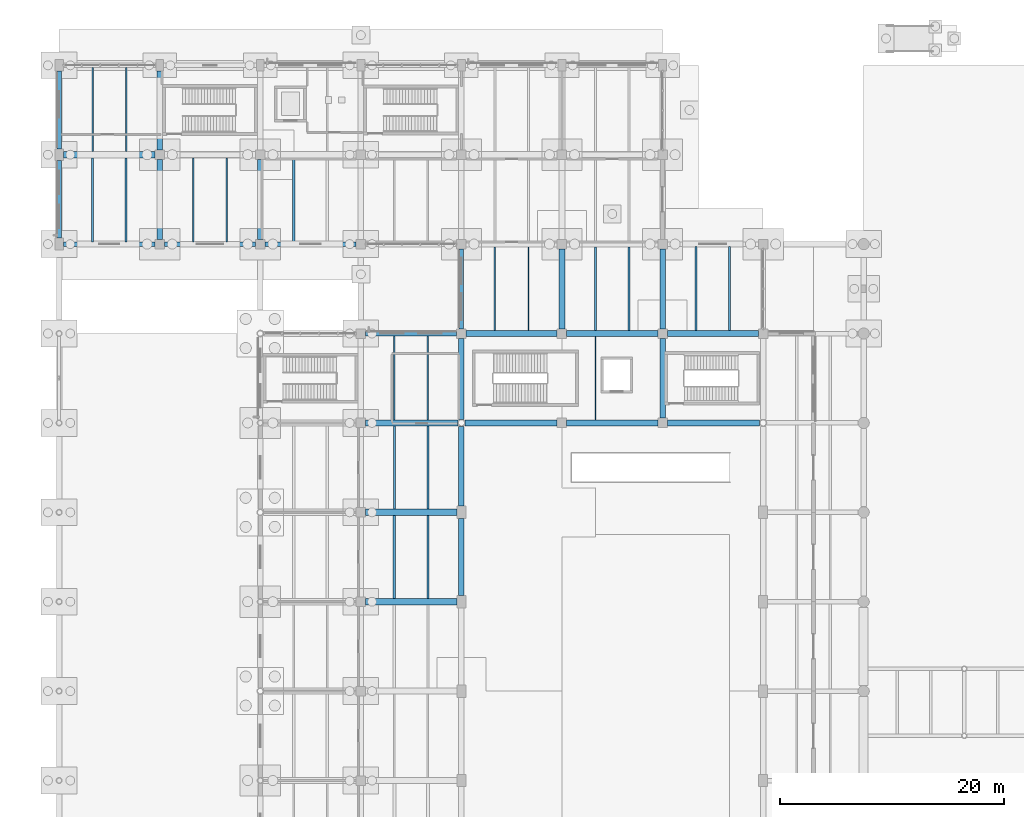
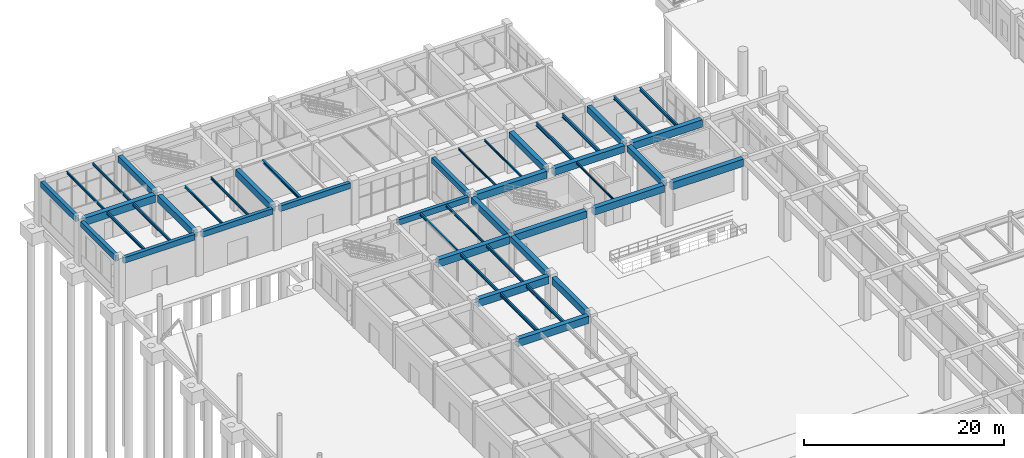
# One storey, part 34 of 121: 46 beams.
"""IFC4 building model written with IfcOpenShell, lengths in metres."""

from ifc_helpers import new_model, si_unit, derived_unit, direction, frame, origin, origin_2d, place, context, subcontext, project, spatial, rectangle, i_section, extrude, material, material_profile, profile_set, type_object, element, save


model = new_model("IFC4")

# Units and contexts
model_context = context("Model", 3, precision=1e-05, world=origin(), true_north=direction((0.0, 1.0)))
body_context = subcontext(model_context, "Body", "Model", "MODEL_VIEW")
ifc_project = project(units=[si_unit("LENGTHUNIT", "METRE"), si_unit("AREAUNIT", "SQUARE_METRE"), si_unit("VOLUMEUNIT", "CUBIC_METRE"), si_unit("PLANEANGLEUNIT", "RADIAN"), si_unit("MASSUNIT", "GRAM", prefix="KILO"), derived_unit("THERMALTRANSMITTANCEUNIT", [(si_unit("MASSUNIT", "GRAM", prefix="KILO"), 1), (si_unit("TIMEUNIT", "SECOND"), -3), (si_unit("THERMODYNAMICTEMPERATUREUNIT", "KELVIN"), -1)])], contexts=[model_context])

# Site, building, storey
site_placement = place(None, origin())
site = spatial("IfcSite", under=ifc_project, at=site_placement, CompositionType="ELEMENT")
building_placement = place(site_placement, origin())
building = spatial("IfcBuilding", under=site, at=building_placement, Name="Zhenchuan Archway Interchange", CompositionType="ELEMENT")
storey_placement = place(building_placement, origin())
storey = spatial("IfcBuildingStorey", under=building, at=storey_placement, Name="L00", CompositionType="ELEMENT", Elevation=0.0)

# Beams
ifc_material_1 = material(Name="Concrete C40", Category="concrete")
ifc_material_profile_1 = material_profile(ifc_material_1, rectangle(XDim=0.5, YDim=0.75, at=origin_2d()), Name="RC 500x750")
ifc_profile_set_1 = profile_set([ifc_material_profile_1], Name="Concrete C40")
beam_type_1 = type_object("IfcBeamType", Name="BM_RC_500x750", PredefinedType="BEAM", material=ifc_profile_set_1)
beam_1_placement = place(storey_placement, frame((9.0, 104.425048828125, 4.705078125), z_axis=(0.0, 1.0, 0.0), x_axis=(-1.0, 0.0, 0.0)))
element("IfcBeam", 1, at=beam_1_placement, inside=storey, type_object=beam_type_1, Name="Beam 2:O-P (L00)", PredefinedType="BEAM", context=body_context, shape_type="SweptSolid", body=[
    extrude(rectangle(XDim=0.5, YDim=0.75, at=origin_2d()), origin(), (0.0, 0.0, 1.0), 7.074951171875),
])
beam_2_placement = place(storey_placement, frame((36.0, 72.550048828125, 4.705078125), z_axis=(0.0, 1.0, 0.0), x_axis=(-1.0, 0.0, 0.0)))
element("IfcBeam", 2, at=beam_2_placement, inside=storey, type_object=beam_type_1, Name="Beam 5:K-L (L00)", PredefinedType="BEAM", context=body_context, shape_type="SweptSolid", body=[
    extrude(rectangle(XDim=0.5, YDim=0.75, at=origin_2d()), origin(), (0.0, 0.0, 1.0), 7.14501953125),
])
beam_3_placement = place(storey_placement, frame((36.0, 80.304931640625, 4.705078125), z_axis=(0.0, 1.0, 0.0), x_axis=(-1.0, 0.0, 0.0)))
element("IfcBeam", 3, at=beam_3_placement, inside=storey, type_object=beam_type_1, Name="Beam 5:L-M (L00)", PredefinedType="BEAM", context=body_context, shape_type="SweptSolid", body=[
    extrude(rectangle(XDim=0.5, YDim=0.75, at=origin_2d()), origin(), (0.0, 0.0, 1.0), 7.27001953125),
])
for number, where, z_axis, x_axis, name in (
    (4, (45.0, 88.425048828125, 4.705078125), (0.0, 1.0, 0.0), (-1.0, 0.0, 0.0), "Beam 6:M-N (L00)"),
    (5, (54.0, 80.425048828125, 4.705078125), (0.0, 1.0, 0.0), (-1.0, 0.0, 0.0), "Beam 7:L-M (L00)"),
    (6, (54.0, 88.425048828125, 4.705078125), (0.0, 1.0, 0.0), (-1.0, 0.0, 0.0), "Beam 7:M-N (L00)"),
):
    element("IfcBeam", number, at=place(storey_placement, frame(where, z_axis=z_axis, x_axis=x_axis)), inside=storey, type_object=beam_type_1, Name=name, PredefinedType="BEAM", context=body_context, shape_type="SweptSolid", body=[
        extrude(rectangle(XDim=0.5, YDim=0.75, at=origin_2d()), origin(), (0.0, 0.0, 1.0), 7.14990234375),
    ])
ifc_material_profile_2 = material_profile(ifc_material_1, rectangle(XDim=0.5, YDim=0.85009765625, at=origin_2d()), Name="RC 500x850")
ifc_profile_set_2 = profile_set([ifc_material_profile_2], Name="Concrete C40")
beam_type_2 = type_object("IfcBeamType", Name="BM_RC_500x850", PredefinedType="BEAM", material=ifc_profile_set_2)
for number, where, z_axis, x_axis, name in (
    (7, (9.0, 96.425048828125, 4.655029296875), (0.0, 1.0, 0.0), (-1.0, 0.0, 0.0), "Beam 2:N-O (L00)"),
    (8, (18.0, 96.425048828125, 4.655029296875), (0.0, 1.0, 0.0), (-1.0, 0.0, 0.0), "Beam 3:N-O (L00)"),
):
    element("IfcBeam", number, at=place(storey_placement, frame(where, z_axis=z_axis, x_axis=x_axis)), inside=storey, type_object=beam_type_2, Name=name, PredefinedType="BEAM", context=body_context, shape_type="SweptSolid", body=[
        extrude(rectangle(XDim=0.5, YDim=0.85009765625, at=origin_2d()), origin(), (0.0, 0.0, 1.0), 7.14990234375),
    ])
beam_4_placement = place(storey_placement, frame((36.0, 64.550048828125, 4.655029296875), z_axis=(0.0, 1.0, 0.0), x_axis=(-1.0, 0.0, 0.0)))
element("IfcBeam", 9, at=beam_4_placement, inside=storey, type_object=beam_type_2, Name="Beam 5:J-K (L00)", PredefinedType="BEAM", context=body_context, shape_type="SweptSolid", body=[
    extrude(rectangle(XDim=0.5, YDim=0.85009765625, at=origin_2d()), origin(), (0.0, 0.0, 1.0), 6.89990234375),
])
ifc_material_profile_3 = material_profile(ifc_material_1, rectangle(XDim=0.550048828125, YDim=0.85009765625, at=origin_2d()), Name="RC 550x850")
ifc_profile_set_3 = profile_set([ifc_material_profile_3], Name="Concrete C40")
beam_type_3 = type_object("IfcBeamType", Name="BM_RC_550x850", PredefinedType="BEAM", material=ifc_profile_set_3)
beam_5_placement = place(storey_placement, frame((36.304931640625, 80.0, 4.655029296875), z_axis=(1.0, 0.0, 0.0), x_axis=(0.0, 1.0, 0.0)))
element("IfcBeam", 10, at=beam_5_placement, inside=storey, type_object=beam_type_3, Name="Beam L:5-6 (L00)", PredefinedType="BEAM", context=body_context, shape_type="SweptSolid", body=[
    extrude(rectangle(XDim=0.550048828125, YDim=0.85009765625, at=origin_2d()), origin(), (0.0, 0.0, 1.0), 8.27001953125),
])
for number, where, z_axis, x_axis, name in (
    (11, (45.425048828125, 80.0, 4.655029296875), (1.0, 0.0, 0.0), (0.0, 1.0, 0.0), "Beam L:6-7 (L00)"),
    (12, (36.425048828125, 88.0, 4.655029296875), (1.0, 0.0, 0.0), (0.0, 1.0, 0.0), "Beam M:5-6 (L00)"),
    (13, (45.425048828125, 88.0, 4.655029296875), (1.0, 0.0, 0.0), (0.0, 1.0, 0.0), "Beam M:6-7 (L00)"),
):
    element("IfcBeam", number, at=place(storey_placement, frame(where, z_axis=z_axis, x_axis=x_axis)), inside=storey, type_object=beam_type_3, Name=name, PredefinedType="BEAM", context=body_context, shape_type="SweptSolid", body=[
        extrude(rectangle(XDim=0.550048828125, YDim=0.85009765625, at=origin_2d()), origin(), (0.0, 0.0, 1.0), 8.14990234375),
    ])
ifc_material_profile_4 = material_profile(ifc_material_1, rectangle(XDim=0.550048828125, YDim=0.89990234375, at=origin_2d()), Name="RC 550x900")
ifc_profile_set_4 = profile_set([ifc_material_profile_4], Name="Concrete C40")
beam_type_4 = type_object("IfcBeamType", Name="BM_RC_550x900", PredefinedType="BEAM", material=ifc_profile_set_4)
for number, where, z_axis, x_axis, name in (
    (14, (27.425048828125, 64.0, 4.6298828125), (1.0, 0.0, 0.0), (0.0, 1.0, 0.0), "Beam J:4-5 (L00)"),
    (15, (27.425048828125, 72.0, 4.6298828125), (1.0, 0.0, 0.0), (0.0, 1.0, 0.0), "Beam K:4-5 (L00)"),
):
    element("IfcBeam", number, at=place(storey_placement, frame(where, z_axis=z_axis, x_axis=x_axis)), inside=storey, type_object=beam_type_4, Name=name, PredefinedType="BEAM", context=body_context, shape_type="SweptSolid", body=[
        extrude(rectangle(XDim=0.550048828125, YDim=0.89990234375, at=origin_2d()), origin(), (0.0, 0.0, 1.0), 8.175048828125),
    ])
for number, where, z_axis, x_axis, name in (
    (16, (27.425048828125, 80.0, 4.6298828125), (1.0, 0.0, 0.0), (0.0, 1.0, 0.0), "Beam L:4-5 (L00)"),
    (17, (54.425048828125, 80.0, 4.6298828125), (1.0, 0.0, 0.0), (0.0, 1.0, 0.0), "Beam L:7-8 (L00)"),
):
    element("IfcBeam", number, at=place(storey_placement, frame(where, z_axis=z_axis, x_axis=x_axis)), inside=storey, type_object=beam_type_4, Name=name, PredefinedType="BEAM", context=body_context, shape_type="SweptSolid", body=[
        extrude(rectangle(XDim=0.550048828125, YDim=0.89990234375, at=origin_2d()), origin(), (0.0, 0.0, 1.0), 8.27001953125),
    ])
beam_6_placement = place(storey_placement, frame((54.425048828125, 88.0, 4.6298828125), z_axis=(1.0, 0.0, 0.0), x_axis=(0.0, 1.0, 0.0)))
element("IfcBeam", 18, at=beam_6_placement, inside=storey, type_object=beam_type_4, Name="Beam M:7-8 (L00)", PredefinedType="BEAM", context=body_context, shape_type="SweptSolid", body=[
    extrude(rectangle(XDim=0.550048828125, YDim=0.89990234375, at=origin_2d()), origin(), (0.0, 0.0, 1.0), 8.14990234375),
])
beam_7_placement = place(storey_placement, frame((0.375, 104.0, 4.6298828125), z_axis=(1.0, 0.0, 0.0), x_axis=(0.0, 1.0, 0.0)))
element("IfcBeam", 19, at=beam_7_placement, inside=storey, type_object=beam_type_4, Name="Beam O:1-2 (L00)", PredefinedType="BEAM", context=body_context, shape_type="SweptSolid", body=[
    extrude(rectangle(XDim=0.550048828125, YDim=0.89990234375, at=origin_2d()), origin(), (0.0, 0.0, 1.0), 8.199951171875),
])
ifc_material_2 = material(Name="Steel Q355", Category="steel")
ifc_material_profile_5 = material_profile(ifc_material_2, i_section(OverallWidth=0.25, OverallDepth=0.340087890625, WebThickness=0.009033203125, FlangeThickness=0.013916015625, FilletRadius=0.01806640625, at=origin_2d()), Name="HM 340x250")
ifc_profile_set_5 = profile_set([ifc_material_profile_5], Name="Steel Q355")
beam_type_5 = type_object("IfcBeamType", Name="JST_STL_HM340", PredefinedType="JOIST", material=ifc_profile_set_5)
beam_8_placement = place(storey_placement, frame((21.0, 96.199951171875, 4.909912109375), z_axis=(0.0, 1.0, 0.0), x_axis=(-1.0, 0.0, 0.0)))
element("IfcBeam", 20, at=beam_8_placement, inside=storey, type_object=beam_type_5, Name="Secondary joist 3-4/N-O #1 (L00)", PredefinedType="JOIST", context=body_context, shape_type="SweptSolid", body=[
    extrude(i_section(OverallWidth=0.25, OverallDepth=0.340087890625, WebThickness=0.009033203125, FlangeThickness=0.013916015625, FilletRadius=0.01806640625, at=origin_2d()), origin(), (0.0, 0.0, 1.0), 7.525146484375),
])
ifc_material_profile_6 = material_profile(ifc_material_2, i_section(OverallWidth=0.125, OverallDepth=0.25, WebThickness=0.006103515625, FlangeThickness=0.009033203125, FilletRadius=0.011962890625, at=origin_2d()), Name="HN 250x125")
ifc_profile_set_6 = profile_set([ifc_material_profile_6], Name="Steel Q355")
beam_type_6 = type_object("IfcBeamType", Name="JST_STL_HN250", PredefinedType="JOIST", material=ifc_profile_set_6)
for number, where, z_axis, x_axis, name in (
    (21, (39.0, 88.27490234375, 4.955078125), (0.0, 1.0, 0.0), (-1.0, 0.0, 0.0), "Secondary joist 5-6/M-N #1 (L00)"),
    (22, (42.0, 88.27490234375, 4.955078125), (0.0, 1.0, 0.0), (-1.0, 0.0, 0.0), "Secondary joist 5-6/M-N #2 (L00)"),
    (23, (48.0, 80.27490234375, 4.955078125), (0.0, 1.0, 0.0), (-1.0, 0.0, 0.0), "Secondary joist 6-7/L-M #1 (L00)"),
):
    element("IfcBeam", number, at=place(storey_placement, frame(where, z_axis=z_axis, x_axis=x_axis)), inside=storey, type_object=beam_type_6, Name=name, PredefinedType="JOIST", context=body_context, shape_type="SweptSolid", body=[
        extrude(i_section(OverallWidth=0.125, OverallDepth=0.25, WebThickness=0.006103515625, FlangeThickness=0.009033203125, FilletRadius=0.011962890625, at=origin_2d()), origin(), (0.0, 0.0, 1.0), 7.4501953125),
    ])
ifc_material_profile_7 = material_profile(ifc_material_2, i_section(OverallWidth=0.14990234375, OverallDepth=0.300048828125, WebThickness=0.006591796875, FlangeThickness=0.009033203125, FilletRadius=0.012939453125, at=origin_2d()), Name="HN 300x150")
ifc_profile_set_7 = profile_set([ifc_material_profile_7], Name="Steel Q355")
beam_type_7 = type_object("IfcBeamType", Name="JST_STL_HN300", PredefinedType="JOIST", material=ifc_profile_set_7)
for number, where, z_axis, x_axis, name in (
    (24, (3.0, 104.27490234375, 4.929931640625), (0.0, 1.0, 0.0), (-1.0, 0.0, 0.0), "Secondary joist 1-2/O-P #1 (L00)"),
    (25, (6.0, 104.27490234375, 4.929931640625), (0.0, 1.0, 0.0), (-1.0, 0.0, 0.0), "Secondary joist 1-2/O-P #2 (L00)"),
    (26, (12.0, 96.199951171875, 4.929931640625), (0.0, 1.0, 0.0), (-1.0, 0.0, 0.0), "Secondary joist 2-3/N-O #1 (L00)"),
    (27, (15.0, 96.199951171875, 4.929931640625), (0.0, 1.0, 0.0), (-1.0, 0.0, 0.0), "Secondary joist 2-3/N-O #2 (L00)"),
    (28, (30.0, 80.27490234375, 4.929931640625), (0.0, 1.0, 0.0), (-1.0, 0.0, 0.0), "Secondary joist 4-5/L-M #1 (L00)"),
    (29, (33.0, 80.27490234375, 4.929931640625), (0.0, 1.0, 0.0), (-1.0, 0.0, 0.0), "Secondary joist 4-5/L-M #2 (L00)"),
):
    element("IfcBeam", number, at=place(storey_placement, frame(where, z_axis=z_axis, x_axis=x_axis)), inside=storey, type_object=beam_type_7, Name=name, PredefinedType="JOIST", context=body_context, shape_type="SweptSolid", body=[
        extrude(i_section(OverallWidth=0.14990234375, OverallDepth=0.300048828125, WebThickness=0.006591796875, FlangeThickness=0.009033203125, FilletRadius=0.012939453125, at=origin_2d()), origin(), (0.0, 0.0, 1.0), 7.525146484375),
    ])
ifc_material_profile_8 = material_profile(ifc_material_2, i_section(OverallWidth=0.175048828125, OverallDepth=0.35009765625, WebThickness=0.007080078125, FlangeThickness=0.010986328125, FilletRadius=0.013916015625, at=origin_2d()), Name="HN 350x175")
ifc_profile_set_8 = profile_set([ifc_material_profile_8], Name="Steel Q355")
beam_type_8 = type_object("IfcBeamType", Name="JST_STL_HN350", PredefinedType="JOIST", material=ifc_profile_set_8)
for number, where, z_axis, x_axis, name in (
    (30, (3.0, 96.199951171875, 4.905029296875), (0.0, 1.0, 0.0), (-1.0, 0.0, 0.0), "Secondary joist 1-2/N-O #1 (L00)"),
    (31, (6.0, 96.199951171875, 4.905029296875), (0.0, 1.0, 0.0), (-1.0, 0.0, 0.0), "Secondary joist 1-2/N-O #2 (L00)"),
):
    element("IfcBeam", number, at=place(storey_placement, frame(where, z_axis=z_axis, x_axis=x_axis)), inside=storey, type_object=beam_type_8, Name=name, PredefinedType="JOIST", context=body_context, shape_type="SweptSolid", body=[
        extrude(i_section(OverallWidth=0.175048828125, OverallDepth=0.35009765625, WebThickness=0.007080078125, FlangeThickness=0.010986328125, FilletRadius=0.013916015625, at=origin_2d()), origin(), (0.0, 0.0, 1.0), 7.525146484375),
    ])
for number, where, z_axis, x_axis, name in (
    (32, (30.0, 72.27490234375, 4.905029296875), (0.0, 1.0, 0.0), (-1.0, 0.0, 0.0), "Secondary joist 4-5/K-L #1 (L00)"),
    (33, (33.0, 72.27490234375, 4.905029296875), (0.0, 1.0, 0.0), (-1.0, 0.0, 0.0), "Secondary joist 4-5/K-L #2 (L00)"),
):
    element("IfcBeam", number, at=place(storey_placement, frame(where, z_axis=z_axis, x_axis=x_axis)), inside=storey, type_object=beam_type_8, Name=name, PredefinedType="JOIST", context=body_context, shape_type="SweptSolid", body=[
        extrude(i_section(OverallWidth=0.175048828125, OverallDepth=0.35009765625, WebThickness=0.007080078125, FlangeThickness=0.010986328125, FilletRadius=0.013916015625, at=origin_2d()), origin(), (0.0, 0.0, 1.0), 7.4501953125),
    ])
ifc_material_profile_9 = material_profile(ifc_material_2, i_section(OverallWidth=0.199951171875, OverallDepth=0.39990234375, WebThickness=0.008056640625, FlangeThickness=0.012939453125, FilletRadius=0.01611328125, at=origin_2d()), Name="HN 400x200")
ifc_profile_set_9 = profile_set([ifc_material_profile_9], Name="Steel Q355")
beam_type_9 = type_object("IfcBeamType", Name="JST_STL_HN400", PredefinedType="JOIST", material=ifc_profile_set_9)
for number, where, z_axis, x_axis, name in (
    (34, (30.0, 64.27490234375, 4.8798828125), (0.0, 1.0, 0.0), (-1.0, 0.0, 0.0), "Secondary joist 4-5/J-K #1 (L00)"),
    (35, (33.0, 64.27490234375, 4.8798828125), (0.0, 1.0, 0.0), (-1.0, 0.0, 0.0), "Secondary joist 4-5/J-K #2 (L00)"),
):
    element("IfcBeam", number, at=place(storey_placement, frame(where, z_axis=z_axis, x_axis=x_axis)), inside=storey, type_object=beam_type_9, Name=name, PredefinedType="JOIST", context=body_context, shape_type="SweptSolid", body=[
        extrude(i_section(OverallWidth=0.199951171875, OverallDepth=0.39990234375, WebThickness=0.008056640625, FlangeThickness=0.012939453125, FilletRadius=0.01611328125, at=origin_2d()), origin(), (0.0, 0.0, 1.0), 7.4501953125),
    ])
for number, where, z_axis, x_axis, name in (
    (36, (57.0, 88.27490234375, 4.8798828125), (0.0, 1.0, 0.0), (-1.0, 0.0, 0.0), "Secondary joist 7-8/M-N #1 (L00)"),
    (37, (60.0, 88.27490234375, 4.8798828125), (0.0, 1.0, 0.0), (-1.0, 0.0, 0.0), "Secondary joist 7-8/M-N #2 (L00)"),
):
    element("IfcBeam", number, at=place(storey_placement, frame(where, z_axis=z_axis, x_axis=x_axis)), inside=storey, type_object=beam_type_9, Name=name, PredefinedType="JOIST", context=body_context, shape_type="SweptSolid", body=[
        extrude(i_section(OverallWidth=0.199951171875, OverallDepth=0.39990234375, WebThickness=0.008056640625, FlangeThickness=0.012939453125, FilletRadius=0.01611328125, at=origin_2d()), origin(), (0.0, 0.0, 1.0), 7.525146484375),
    ])
ifc_material_profile_10 = material_profile(ifc_material_2, i_section(OverallWidth=0.199951171875, OverallDepth=0.449951171875, WebThickness=0.009033203125, FlangeThickness=0.013916015625, FilletRadius=0.01806640625, at=origin_2d()), Name="HN 450x200")
ifc_profile_set_10 = profile_set([ifc_material_profile_10], Name="Steel Q355")
beam_type_10 = type_object("IfcBeamType", Name="JST_STL_HN450", PredefinedType="JOIST", material=ifc_profile_set_10)
for number, where, z_axis, x_axis, name in (
    (38, (48.0, 88.27490234375, 4.85498046875), (0.0, 1.0, 0.0), (-1.0, 0.0, 0.0), "Secondary joist 6-7/M-N #1 (L00)"),
    (39, (51.0, 88.27490234375, 4.85498046875), (0.0, 1.0, 0.0), (-1.0, 0.0, 0.0), "Secondary joist 6-7/M-N #2 (L00)"),
):
    element("IfcBeam", number, at=place(storey_placement, frame(where, z_axis=z_axis, x_axis=x_axis)), inside=storey, type_object=beam_type_10, Name=name, PredefinedType="JOIST", context=body_context, shape_type="SweptSolid", body=[
        extrude(i_section(OverallWidth=0.199951171875, OverallDepth=0.449951171875, WebThickness=0.009033203125, FlangeThickness=0.013916015625, FilletRadius=0.01806640625, at=origin_2d()), origin(), (0.0, 0.0, 1.0), 7.4501953125),
    ])
ifc_material_profile_11 = material_profile(ifc_material_1, rectangle(XDim=0.39990234375, YDim=0.699951171875, at=origin_2d()), Name="RC 400x700")
ifc_profile_set_11 = profile_set([ifc_material_profile_11], Name="Concrete C40")
beam_type_11 = type_object("IfcBeamType", Name="SP_RC_400x700", PredefinedType="SPANDREL", material=ifc_profile_set_11)
beam_9_placement = place(storey_placement, frame((27.425048828125, 88.0, 4.72998046875), z_axis=(1.0, 0.0, 0.0), x_axis=(0.0, 1.0, 0.0)))
element("IfcBeam", 40, at=beam_9_placement, inside=storey, type_object=beam_type_11, Name="Beam M:4-5 (L00)", PredefinedType="SPANDREL", context=body_context, shape_type="SweptSolid", body=[
    extrude(rectangle(XDim=0.39990234375, YDim=0.699951171875, at=origin_2d()), origin(), (0.0, 0.0, 1.0), 8.14990234375),
])
beam_10_placement = place(storey_placement, frame((0.375, 96.0, 4.72998046875), z_axis=(1.0, 0.0, 0.0), x_axis=(0.0, 1.0, 0.0)))
element("IfcBeam", 41, at=beam_10_placement, inside=storey, type_object=beam_type_11, Name="Beam N:1-2 (L00)", PredefinedType="SPANDREL", context=body_context, shape_type="SweptSolid", body=[
    extrude(rectangle(XDim=0.39990234375, YDim=0.699951171875, at=origin_2d()), origin(), (0.0, 0.0, 1.0), 8.199951171875),
])
for number, where, z_axis, x_axis, name in (
    (42, (9.425048828125, 96.0, 4.72998046875), (1.0, 0.0, 0.0), (0.0, 1.0, 0.0), "Beam N:2-3 (L00)"),
    (43, (18.425048828125, 96.0, 4.72998046875), (1.0, 0.0, 0.0), (0.0, 1.0, 0.0), "Beam N:3-4 (L00)"),
):
    element("IfcBeam", number, at=place(storey_placement, frame(where, z_axis=z_axis, x_axis=x_axis)), inside=storey, type_object=beam_type_11, Name=name, PredefinedType="SPANDREL", context=body_context, shape_type="SweptSolid", body=[
        extrude(rectangle(XDim=0.39990234375, YDim=0.699951171875, at=origin_2d()), origin(), (0.0, 0.0, 1.0), 8.14990234375),
    ])
for number, where, z_axis, x_axis, name in (
    (44, (0.0, 96.52490234375, 4.72998046875), (0.0, 1.0, 0.0), (-1.0, 0.0, 0.0), "Beam 1:N-O (L00)"),
    (45, (0.0, 104.52490234375, 4.72998046875), (0.0, 1.0, 0.0), (-1.0, 0.0, 0.0), "Beam 1:O-P (L00)"),
):
    element("IfcBeam", number, at=place(storey_placement, frame(where, z_axis=z_axis, x_axis=x_axis)), inside=storey, type_object=beam_type_11, Name=name, PredefinedType="SPANDREL", context=body_context, shape_type="SweptSolid", body=[
        extrude(rectangle(XDim=0.39990234375, YDim=0.699951171875, at=origin_2d()), origin(), (0.0, 0.0, 1.0), 6.9501953125),
    ])
beam_11_placement = place(storey_placement, frame((36.0, 88.425048828125, 4.72998046875), z_axis=(0.0, 1.0, 0.0), x_axis=(-1.0, 0.0, 0.0)))
element("IfcBeam", 46, at=beam_11_placement, inside=storey, type_object=beam_type_11, Name="Beam 5:M-N (L00)", PredefinedType="SPANDREL", context=body_context, shape_type="SweptSolid", body=[
    extrude(rectangle(XDim=0.39990234375, YDim=0.699951171875, at=origin_2d()), origin(), (0.0, 0.0, 1.0), 7.14990234375),
])

save(model, "model.ifc")
